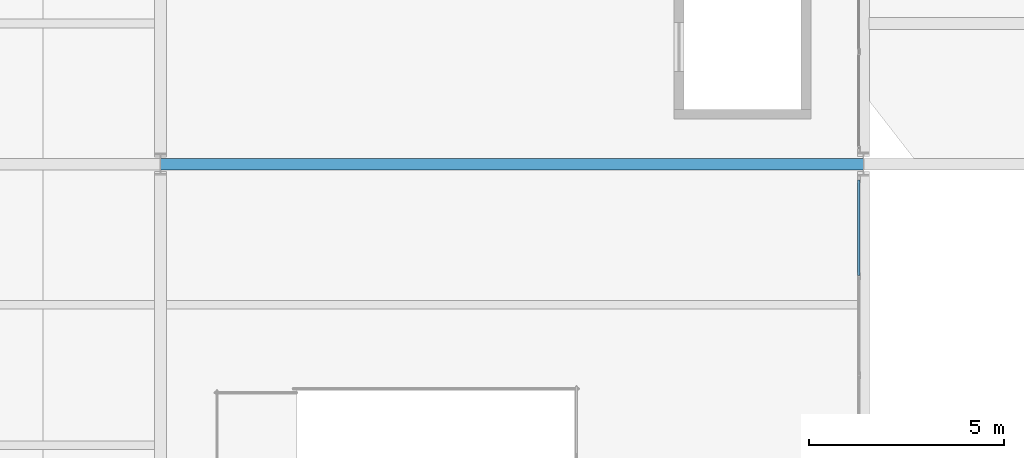
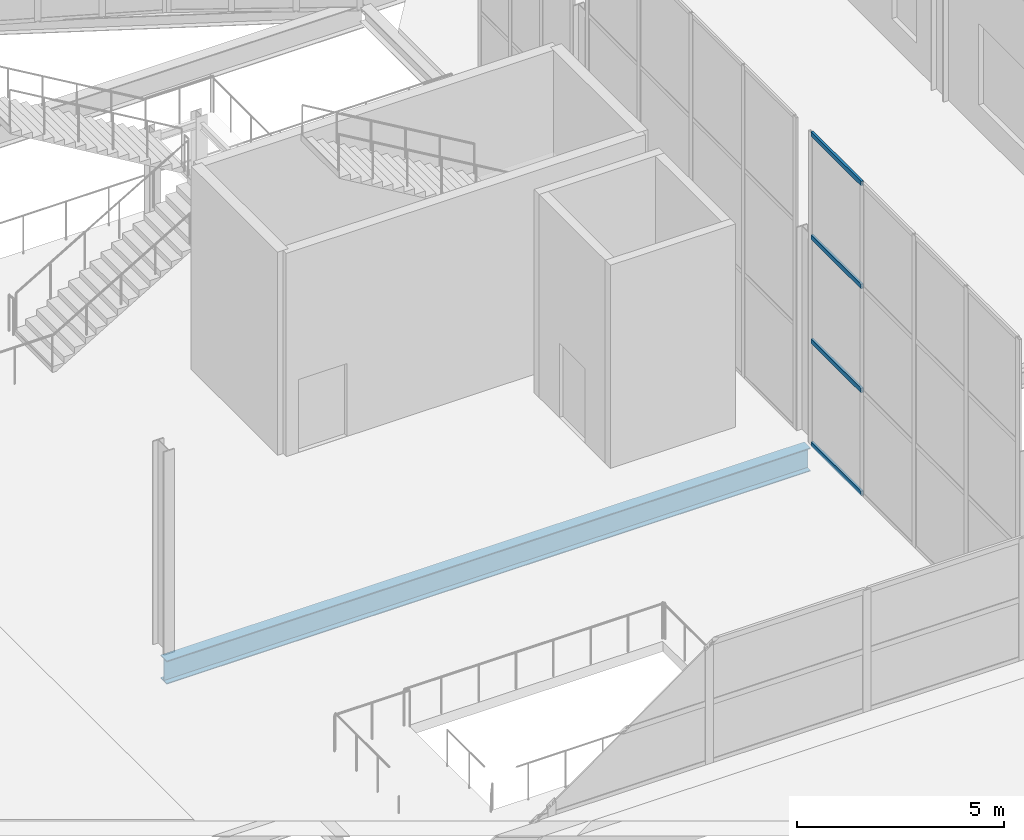
# One storey, part 114 of 191: 4 members, 1 beam, 1 element without a shape of its own.
"""IFC4 building model written with IfcOpenShell, lengths in metres."""

from ifc_helpers import new_model, si_unit, direction, frame, origin, origin_2d, place, context, subcontext, project, spatial, hollow_rectangle, i_section, extrude, material, layer, layer_set, material_profile, profile_set, type_object, element, aggregate, save


model = new_model("IFC4")

# Units and contexts
model_context = context("Model", 3, precision=1e-05, world=origin(), true_north=direction((0.0, 1.0)))
body_context = subcontext(model_context, "Body", "Model", "MODEL_VIEW")
ifc_project = project(units=[si_unit("LENGTHUNIT", "METRE"), si_unit("AREAUNIT", "SQUARE_METRE"), si_unit("VOLUMEUNIT", "CUBIC_METRE"), si_unit("PLANEANGLEUNIT", "RADIAN"), si_unit("MASSUNIT", "GRAM", prefix="KILO")], contexts=[model_context])

# Site, building, storey
site_placement = place(None, origin())
site = spatial("IfcSite", under=ifc_project, at=site_placement, CompositionType="ELEMENT")
building_placement = place(site_placement, origin())
building = spatial("IfcBuilding", under=site, at=building_placement, Name="Tamarisk Ironworks Central Station", CompositionType="ELEMENT")
storey_placement = place(building_placement, frame((0.0, 0.0, 6.60009765625)))
storey = spatial("IfcBuildingStorey", under=building, at=storey_placement, Name="L01", CompositionType="ELEMENT", Elevation=6.60009765625)

# Beam
ifc_material_1 = material(Name="Structural steel S355J2", Category="steel")
ifc_material_profile_1 = material_profile(ifc_material_1, i_section(OverallWidth=0.300048828125, OverallDepth=0.68994140625, WebThickness=0.014404296875, FlangeThickness=0.027099609375, at=origin_2d()), Name="HEA 700")
ifc_profile_set_1 = profile_set([ifc_material_profile_1], Name="Structural steel S355J2")
beam_type = type_object("IfcBeamType", Name="BM-G01", PredefinedType="BEAM", material=ifc_profile_set_1)
beam_placement = place(storey_placement, frame((90.00390625, 90.0, -0.64501953125), z_axis=(1.0, 0.0, 0.0), x_axis=(0.0, 1.0, 0.0)))
element("IfcBeam", 1, at=beam_placement, inside=storey, type_object=beam_type, Name="L01 primary girder X-0102", PredefinedType="BEAM", context=body_context, shape_type="SweptSolid", body=[
    extrude(i_section(OverallWidth=0.300048828125, OverallDepth=0.68994140625, WebThickness=0.014404296875, FlangeThickness=0.027099609375, at=origin_2d()), origin(), (0.0, 0.0, 1.0), 17.9921875),
])

# Curtain wall, members
ifc_material_2 = material(Name="Anodized aluminium alloy 6063-T6", Category="aluminium")
ifc_layer = layer(ifc_material_2, 0.179931640625)
ifc_layer_set = layer_set([ifc_layer], Name="Anodized aluminium alloy 6063-T6")
curtain_wall_type = type_object("IfcCurtainWallType", Name="CW-07", PredefinedType="USERDEFINED", material=ifc_layer_set)
curtain_wall_placement = place(storey_placement, origin())
curtain_wall = element("IfcCurtainWall", 2, at=curtain_wall_placement, inside=storey, type_object=curtain_wall_type, Name="Concourse E track-overlook curtain wall 06", ObjectType="GLAZED CURTAIN WALL", PredefinedType="USERDEFINED")
ifc_material_profile_2 = material_profile(ifc_material_2, hollow_rectangle(XDim=0.06494140625, YDim=0.135009765625, WallThickness=0.00341796875, at=origin_2d()), Name="ALUM 135x65")
ifc_profile_set_2 = profile_set([ifc_material_profile_2], Name="Anodized aluminium alloy 6063-T6")
member_type = type_object("IfcMemberType", Name="CWT-02", PredefinedType="USERDEFINED", material=ifc_profile_set_2)
member_1_placement = place(storey_placement, frame((107.8798828125, 87.153564453125, 0.032470703125), z_axis=(0.0, 1.0, 0.0), x_axis=(-1.0, 0.0, 0.0)))
member_1 = element("IfcMember", 3, at=member_1_placement, type_object=member_type, Name="CW07 transom 4.1", ObjectType="TRANSOM", PredefinedType="USERDEFINED", context=body_context, shape_type="SweptSolid", body=[
    extrude(hollow_rectangle(XDim=0.06494140625, YDim=0.135009765625, WallThickness=0.00341796875, at=origin_2d()), origin(), (0.0, 0.0, 1.0), 2.435546875),
])
member_2_placement = place(storey_placement, frame((107.8798828125, 87.153564453125, 3.0732421875), z_axis=(0.0, 1.0, 0.0), x_axis=(-1.0, 0.0, 0.0)))
member_2 = element("IfcMember", 4, at=member_2_placement, type_object=member_type, Name="CW07 transom 4.2", ObjectType="TRANSOM", PredefinedType="USERDEFINED", context=body_context, shape_type="SweptSolid", body=[
    extrude(hollow_rectangle(XDim=0.06494140625, YDim=0.135009765625, WallThickness=0.00341796875, at=origin_2d()), origin(), (0.0, 0.0, 1.0), 2.435546875),
])
member_3_placement = place(storey_placement, frame((107.8798828125, 87.153564453125, 6.146484375), z_axis=(0.0, 1.0, 0.0), x_axis=(-1.0, 0.0, 0.0)))
member_3 = element("IfcMember", 5, at=member_3_placement, type_object=member_type, Name="CW07 transom 4.3", ObjectType="TRANSOM", PredefinedType="USERDEFINED", context=body_context, shape_type="SweptSolid", body=[
    extrude(hollow_rectangle(XDim=0.06494140625, YDim=0.135009765625, WallThickness=0.00341796875, at=origin_2d()), origin(), (0.0, 0.0, 1.0), 2.435546875),
])
member_4_placement = place(storey_placement, frame((107.8798828125, 87.153564453125, 9.1875), z_axis=(0.0, 1.0, 0.0), x_axis=(-1.0, 0.0, 0.0)))
member_4 = element("IfcMember", 6, at=member_4_placement, type_object=member_type, Name="CW07 transom 4.4", ObjectType="TRANSOM", PredefinedType="USERDEFINED", context=body_context, shape_type="SweptSolid", body=[
    extrude(hollow_rectangle(XDim=0.06494140625, YDim=0.135009765625, WallThickness=0.00341796875, at=origin_2d()), origin(), (0.0, 0.0, 1.0), 2.435546875),
])
aggregate(curtain_wall, [member_1, member_2, member_3, member_4])

save(model, "model.ifc")
